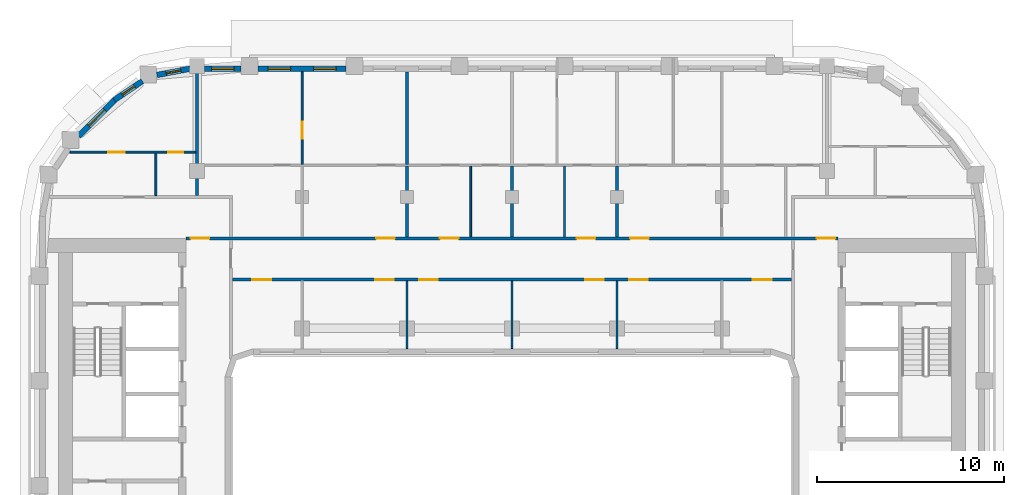
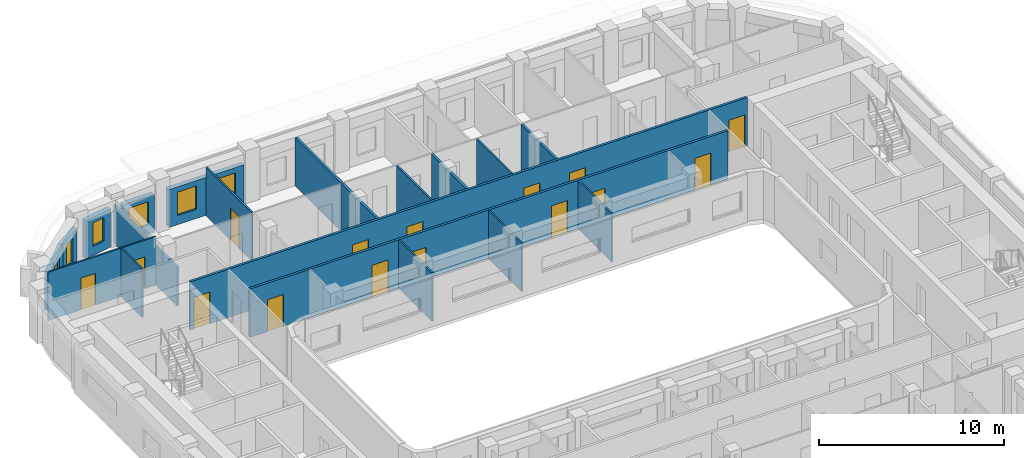
# One storey, part 7 of 21: 20 walls, 15 doors, 6 windows, 21 openings.
"""IFC4 building model written with IfcOpenShell, lengths in metres."""

from ifc_helpers import new_model, si_unit, direction, frame, frame_2d, origin, place, context, subcontext, project, spatial, rectangle, extrude, material, layer, layer_set, type_object, element, fill, save


model = new_model("IFC4")

# Units and contexts
model_context = context("Model", 3, precision=1e-05, world=origin(), true_north=direction((0.0, 1.0)))
body_context = subcontext(model_context, "Body", "Model", "MODEL_VIEW")
ifc_project = project(units=[si_unit("LENGTHUNIT", "METRE"), si_unit("AREAUNIT", "SQUARE_METRE"), si_unit("VOLUMEUNIT", "CUBIC_METRE"), si_unit("PLANEANGLEUNIT", "RADIAN"), si_unit("MASSUNIT", "GRAM", prefix="KILO")], contexts=[model_context])

# Site, building, storey
site_placement = place(None, origin())
site = spatial("IfcSite", under=ifc_project, at=site_placement, CompositionType="ELEMENT")
building_placement = place(site_placement, origin())
building = spatial("IfcBuilding", under=site, at=building_placement, Name="Kiln Ring Residences", CompositionType="ELEMENT")
storey_placement = place(building_placement, frame((0.0, 0.0, 192.39990234375)))
storey = spatial("IfcBuildingStorey", under=building, at=storey_placement, Name="L49", CompositionType="ELEMENT", Elevation=192.39990234375)

# Wall, openings, windows
ifc_material_1 = material(Name="Brick masonry, dark clay brick", Category="masonry")
ifc_layer_1 = layer(ifc_material_1, 0.300048828125)
ifc_layer_set_1 = layer_set([ifc_layer_1], Name="EW-300 BRICK WALL")
wall_type_1 = type_object("IfcWallType", Name="EW-300 BRICK WALL", PredefinedType="SOLIDWALL", material=ifc_layer_set_1)
wall_1_placement = place(storey_placement, frame((-8.85009765625, 22.25, 0.0), z_axis=(0.0, 0.0, 1.0), x_axis=(-1.0, 0.0, 0.0)))
wall_1 = element("IfcWall", 1, at=wall_1_placement, inside=storey, type_object=wall_type_1, Name="Facade wall L49 32", PredefinedType="SOLIDWALL", context=body_context, shape_type="SweptSolid", body=[
    extrude(rectangle(XDim=4.699951171875, YDim=0.300048828125, at=frame_2d((2.35009765625, 0.0))), origin(), (0.0, 0.0, 1.0), 2.5),
])
opening_1_placement = place(wall_1_placement, frame((0.53759765625, 0.0, 0.60009765625)))
opening_1 = element("IfcOpeningElement", 2, at=opening_1_placement, cuts=wall_1, Name="Opening W1", PredefinedType="OPENING", context=body_context, shape_type="SweptSolid", body=[
    extrude(rectangle(XDim=1.199951171875, YDim=1.550048828125, at=frame_2d((0.60009765625, 0.77490234375))), frame((0.0, 0.159912109375, 0.0), z_axis=(0.0, -1.0, 0.0), x_axis=(1.0, 0.0, 0.0)), (0.0, 0.0, 1.0), 0.320068359375),
])
opening_2_placement = place(wall_1_placement, frame((2.96240234375, 0.0, 0.60009765625)))
opening_2 = element("IfcOpeningElement", 3, at=opening_2_placement, cuts=wall_1, Name="Opening W1", PredefinedType="OPENING", context=body_context, shape_type="SweptSolid", body=[
    extrude(rectangle(XDim=1.199951171875, YDim=1.550048828125, at=frame_2d((0.60009765625, 0.77490234375))), frame((0.0, 0.159912109375, 0.0), z_axis=(0.0, -1.0, 0.0), x_axis=(1.0, 0.0, 0.0)), (0.0, 0.0, 1.0), 0.320068359375),
])
ifc_material_2 = material(Name="Aluminium frame with double glazing", Category="aluminium")
window_type_1 = type_object("IfcWindowType", Name="WINDOW 1200 x 1550", PartitioningType="SINGLE_PANEL", PredefinedType="WINDOW", material=ifc_material_2)
window_1_placement = place(opening_1_placement, origin())
window_1 = element("IfcWindow", 4, at=window_1_placement, inside=storey, type_object=window_type_1, Name="Window L49 29", OverallHeight=1.550048828125, OverallWidth=1.199951171875, PartitioningType="SINGLE_PANEL", PredefinedType="WINDOW", context=body_context, shape_type="SweptSolid", body=[
    extrude(rectangle(XDim=1.199951171875, YDim=1.550048828125, at=frame_2d((0.60009765625, 0.77490234375))), frame((0.0, 0.030029296875, 0.0), z_axis=(0.0, -1.0, 0.0), x_axis=(1.0, 0.0, 0.0)), (0.0, 0.0, 1.0), 0.06005859375),
])
fill(opening_1, window_1)
window_2_placement = place(opening_2_placement, origin())
window_2 = element("IfcWindow", 5, at=window_2_placement, inside=storey, type_object=window_type_1, Name="Window L49 30", OverallHeight=1.550048828125, OverallWidth=1.199951171875, PartitioningType="SINGLE_PANEL", PredefinedType="WINDOW", context=body_context, shape_type="SweptSolid", body=[
    extrude(rectangle(XDim=1.199951171875, YDim=1.550048828125, at=frame_2d((0.60009765625, 0.77490234375))), frame((0.0, 0.030029296875, 0.0), z_axis=(0.0, -1.0, 0.0), x_axis=(1.0, 0.0, 0.0)), (0.0, 0.0, 1.0), 0.06005859375),
])
fill(opening_2, window_2)

# Wall, opening, window
wall_2_placement = place(storey_placement, frame((-14.449951171875, 22.25, 0.0), z_axis=(0.0, 0.0, 1.0), x_axis=(-1.0, 0.0, 0.0)))
wall_2 = element("IfcWall", 6, at=wall_2_placement, inside=storey, type_object=wall_type_1, Name="Facade wall L49 33", PredefinedType="SOLIDWALL", context=body_context, shape_type="SweptSolid", body=[
    extrude(rectangle(XDim=1.949951171875, YDim=0.300048828125, at=frame_2d((0.97509765625, 0.0))), origin(), (0.0, 0.0, 1.0), 2.5),
])
opening_3_placement = place(wall_2_placement, frame((0.375, 0.0, 0.60009765625)))
opening_3 = element("IfcOpeningElement", 7, at=opening_3_placement, cuts=wall_2, Name="Opening W1", PredefinedType="OPENING", context=body_context, shape_type="SweptSolid", body=[
    extrude(rectangle(XDim=1.199951171875, YDim=1.550048828125, at=frame_2d((0.60009765625, 0.77490234375))), frame((0.0, 0.159912109375, 0.0), z_axis=(0.0, -1.0, 0.0), x_axis=(1.0, 0.0, 0.0)), (0.0, 0.0, 1.0), 0.320068359375),
])
window_3_placement = place(opening_3_placement, origin())
window_3 = element("IfcWindow", 8, at=window_3_placement, inside=storey, type_object=window_type_1, Name="Window L49 31", OverallHeight=1.550048828125, OverallWidth=1.199951171875, PartitioningType="SINGLE_PANEL", PredefinedType="WINDOW", context=body_context, shape_type="SweptSolid", body=[
    extrude(rectangle(XDim=1.199951171875, YDim=1.550048828125, at=frame_2d((0.60009765625, 0.77490234375))), frame((0.0, 0.030029296875, 0.0), z_axis=(0.0, -1.0, 0.0), x_axis=(1.0, 0.0, 0.0)), (0.0, 0.0, 1.0), 0.06005859375),
])
fill(opening_3, window_3)

wall_3_placement = place(storey_placement, frame((-17.178955078125, 22.251220703125, 0.0), z_axis=(0.0, 0.0, 1.0), x_axis=(-0.98230529033, -0.187286722942, 0.0)))
wall_3 = element("IfcWall", 9, at=wall_3_placement, inside=storey, type_object=wall_type_1, Name="Facade wall L49 34", PredefinedType="SOLIDWALL", context=body_context, shape_type="SweptSolid", body=[
    extrude(rectangle(XDim=1.798828125, YDim=0.300048828125, at=frame_2d((0.8994140625, 0.0))), origin(), (0.0, 0.0, 1.0), 2.5),
])
opening_4_placement = place(wall_3_placement, frame((0.49951171875, 0.0, 0.60009765625)))
opening_4 = element("IfcOpeningElement", 10, at=opening_4_placement, cuts=wall_3, Name="Opening W5", PredefinedType="OPENING", context=body_context, shape_type="SweptSolid", body=[
    extrude(rectangle(XDim=0.800048828125, YDim=1.550048828125, at=frame_2d((0.39990234375, 0.77490234375))), frame((0.0, 0.159912109375, 0.0), z_axis=(0.0, -1.0, 0.0), x_axis=(1.0, 0.0, 0.0)), (0.0, 0.0, 1.0), 0.320068359375),
])
ifc_material_3 = material(Name="Aluminium frame with double glazing", Category="aluminium")
window_type_2 = type_object("IfcWindowType", Name="WINDOW 800 x 1550", PartitioningType="SINGLE_PANEL", PredefinedType="WINDOW", material=ifc_material_3)
window_4_placement = place(opening_4_placement, origin())
window_4 = element("IfcWindow", 11, at=window_4_placement, inside=storey, type_object=window_type_2, Name="Window L49 32", OverallHeight=1.550048828125, OverallWidth=0.800048828125, PartitioningType="SINGLE_PANEL", PredefinedType="WINDOW", context=body_context, shape_type="SweptSolid", body=[
    extrude(rectangle(XDim=0.800048828125, YDim=1.550048828125, at=frame_2d((0.39990234375, 0.77490234375))), frame((0.0, 0.030029296875, 0.0), z_axis=(0.0, -1.0, 0.0), x_axis=(1.0, 0.0, 0.0)), (0.0, 0.0, 1.0), 0.06005859375),
])
fill(opening_4, window_4)

wall_4_placement = place(storey_placement, frame((-19.718994140625, 21.593994140625, 0.0), z_axis=(0.0, 0.0, 1.0), x_axis=(-0.827067282455, -0.562102935673, 0.0)))
wall_4 = element("IfcWall", 12, at=wall_4_placement, inside=storey, type_object=wall_type_1, Name="Facade wall L49 35", PredefinedType="SOLIDWALL", context=body_context, shape_type="SweptSolid", body=[
    extrude(rectangle(XDim=1.805908203125, YDim=0.300048828125, at=frame_2d((0.90283203125, 0.0))), origin(), (0.0, 0.0, 1.0), 2.5),
])
opening_5_placement = place(wall_4_placement, frame((0.5029296875, 0.0, 0.60009765625)))
opening_5 = element("IfcOpeningElement", 13, at=opening_5_placement, cuts=wall_4, Name="Opening W5", PredefinedType="OPENING", context=body_context, shape_type="SweptSolid", body=[
    extrude(rectangle(XDim=0.800048828125, YDim=1.550048828125, at=frame_2d((0.39990234375, 0.77490234375))), frame((0.0, 0.159912109375, 0.0), z_axis=(0.0, -1.0, 0.0), x_axis=(1.0, 0.0, 0.0)), (0.0, 0.0, 1.0), 0.320068359375),
])
window_5_placement = place(opening_5_placement, origin())
window_5 = element("IfcWindow", 14, at=window_5_placement, inside=storey, type_object=window_type_2, Name="Window L49 33", OverallHeight=1.550048828125, OverallWidth=0.800048828125, PartitioningType="SINGLE_PANEL", PredefinedType="WINDOW", context=body_context, shape_type="SweptSolid", body=[
    extrude(rectangle(XDim=0.800048828125, YDim=1.550048828125, at=frame_2d((0.39990234375, 0.77490234375))), frame((0.0, 0.030029296875, 0.0), z_axis=(0.0, -1.0, 0.0), x_axis=(1.0, 0.0, 0.0)), (0.0, 0.0, 1.0), 0.06005859375),
])
fill(opening_5, window_5)

wall_5_placement = place(storey_placement, frame((-21.19091796875, 20.596923828125, 0.0), z_axis=(0.0, 0.0, 1.0), x_axis=(-0.707106781187, -0.707106781187, 0.0)))
wall_5 = element("IfcWall", 15, at=wall_5_placement, inside=storey, type_object=wall_type_1, Name="Facade wall L49 36", PredefinedType="SOLIDWALL", context=body_context, shape_type="SweptSolid", body=[
    extrude(rectangle(XDim=2.75, YDim=0.300048828125, at=frame_2d((1.375, 0.0))), origin(), (0.0, 0.0, 1.0), 2.5),
])
opening_6_placement = place(wall_5_placement, frame((0.77490234375, 0.0, 0.60009765625)))
opening_6 = element("IfcOpeningElement", 16, at=opening_6_placement, cuts=wall_5, Name="Opening W1", PredefinedType="OPENING", context=body_context, shape_type="SweptSolid", body=[
    extrude(rectangle(XDim=1.199951171875, YDim=1.550048828125, at=frame_2d((0.60009765625, 0.77490234375))), frame((0.0, 0.159912109375, 0.0), z_axis=(0.0, -1.0, 0.0), x_axis=(1.0, 0.0, 0.0)), (0.0, 0.0, 1.0), 0.320068359375),
])
window_6_placement = place(opening_6_placement, origin())
window_6 = element("IfcWindow", 17, at=window_6_placement, inside=storey, type_object=window_type_1, Name="Window L49 34", OverallHeight=1.550048828125, OverallWidth=1.199951171875, PartitioningType="SINGLE_PANEL", PredefinedType="WINDOW", context=body_context, shape_type="SweptSolid", body=[
    extrude(rectangle(XDim=1.199951171875, YDim=1.550048828125, at=frame_2d((0.60009765625, 0.77490234375))), frame((0.0, 0.030029296875, 0.0), z_axis=(0.0, -1.0, 0.0), x_axis=(1.0, 0.0, 0.0)), (0.0, 0.0, 1.0), 0.06005859375),
])
fill(opening_6, window_6)

# Wall, openings, doors
ifc_material_4 = material(Name="Gypsum board on steel studs", Category="steel")
ifc_layer_2 = layer(ifc_material_4, 0.10009765625)
ifc_layer_set_2 = layer_set([ifc_layer_2], Name="PARTITION-100")
wall_type_2 = type_object("IfcWallType", Name="PARTITION-100", PredefinedType="PARTITIONING", material=ifc_layer_set_2)
wall_6_placement = place(storey_placement, frame((-23.593994140625, 17.800048828125, 0.0), z_axis=(0.0, 0.0, 1.0), x_axis=(1.0, 0.0, 0.0)))
wall_6 = element("IfcWall", 18, at=wall_6_placement, inside=storey, type_object=wall_type_2, Name="Partition 012", PredefinedType="PARTITIONING", context=body_context, shape_type="SweptSolid", body=[
    extrude(rectangle(XDim=6.718994140625, YDim=0.10009765625, at=frame_2d((3.359375, 0.0))), origin(), (0.0, 0.0, 1.0), 3.2001953125),
])
opening_7_placement = place(wall_6_placement, frame((5.243896484375, 0.0, 0.0)))
opening_7 = element("IfcOpeningElement", 19, at=opening_7_placement, cuts=wall_6, Name="Opening L49-D036", PredefinedType="OPENING", context=body_context, shape_type="SweptSolid", body=[
    extrude(rectangle(XDim=0.800048828125, YDim=2.10009765625, at=frame_2d((0.39990234375, 1.050048828125))), frame((0.0, 0.06005859375, 0.0), z_axis=(0.0, -1.0, 0.0), x_axis=(1.0, 0.0, 0.0)), (0.0, 0.0, 1.0), 0.1201171875),
])
opening_8_placement = place(wall_6_placement, frame((2.0439453125, 0.0, 0.0)))
opening_8 = element("IfcOpeningElement", 20, at=opening_8_placement, cuts=wall_6, Name="Opening L49-D037", PredefinedType="OPENING", context=body_context, shape_type="SweptSolid", body=[
    extrude(rectangle(XDim=0.89990234375, YDim=2.10009765625, at=frame_2d((0.449951171875, 1.050048828125))), frame((0.0, 0.06005859375, 0.0), z_axis=(0.0, -1.0, 0.0), x_axis=(1.0, 0.0, 0.0)), (0.0, 0.0, 1.0), 0.1201171875),
])
ifc_material_5 = material(Name="Timber door leaf", Category="wood")
door_type_1 = type_object("IfcDoorType", Name="FLAT-DOOR-800-PL", OperationType="SINGLE_SWING_LEFT", PredefinedType="DOOR", material=ifc_material_5)
door_1_placement = place(opening_7_placement, origin())
door_1 = element("IfcDoor", 21, at=door_1_placement, inside=storey, type_object=door_type_1, Name="Door L49-D036", OperationType="SINGLE_SWING_RIGHT", OverallHeight=2.10009765625, OverallWidth=0.800048828125, PredefinedType="DOOR", context=body_context, shape_type="SweptSolid", body=[
    extrude(rectangle(XDim=0.800048828125, YDim=2.10009765625, at=frame_2d((0.39990234375, 1.050048828125))), frame((0.0, 0.02490234375, 0.0), z_axis=(0.0, -1.0, 0.0), x_axis=(1.0, 0.0, 0.0)), (0.0, 0.0, 1.0), 0.050048828125),
])
fill(opening_7, door_1)
ifc_material_6 = material(Name="Timber door leaf", Category="wood")
door_type_2 = type_object("IfcDoorType", Name="FLAT-DOOR-900-PL", OperationType="SINGLE_SWING_LEFT", PredefinedType="DOOR", material=ifc_material_6)
door_2_placement = place(opening_8_placement, origin())
door_2 = element("IfcDoor", 22, at=door_2_placement, inside=storey, type_object=door_type_2, Name="Door L49-D037", OperationType="SINGLE_SWING_LEFT", OverallHeight=2.10009765625, OverallWidth=0.89990234375, PredefinedType="DOOR", context=body_context, shape_type="SweptSolid", body=[
    extrude(rectangle(XDim=0.89990234375, YDim=2.10009765625, at=frame_2d((0.449951171875, 1.050048828125))), frame((0.0, 0.02490234375, 0.0), z_axis=(0.0, -1.0, 0.0), x_axis=(1.0, 0.0, 0.0)), (0.0, 0.0, 1.0), 0.050048828125),
])
fill(opening_8, door_2)

# Wall
wall_7_placement = place(storey_placement, frame((-19.0, 15.47509765625, 0.0), z_axis=(0.0, 0.0, 1.0), x_axis=(0.0, 1.0, 0.0)))
element("IfcWall", 23, at=wall_7_placement, inside=storey, type_object=wall_type_2, Name="Partition 015", PredefinedType="PARTITIONING", context=body_context, shape_type="SweptSolid", body=[
    extrude(rectangle(XDim=2.27490234375, YDim=0.10009765625, at=frame_2d((1.137451171875, 0.0))), origin(), (0.0, 0.0, 1.0), 3.2001953125),
])

# Wall, opening, door
wall_8_placement = place(storey_placement, frame((-11.199951171875, 17.14990234375, 0.0), z_axis=(0.0, 0.0, 1.0), x_axis=(0.0, 1.0, 0.0)))
wall_8 = element("IfcWall", 24, at=wall_8_placement, inside=storey, type_object=wall_type_2, Name="Partition 027", PredefinedType="PARTITIONING", context=body_context, shape_type="SweptSolid", body=[
    extrude(rectangle(XDim=4.93017578125, YDim=0.10009765625, at=frame_2d((2.465087890625, 0.0))), origin(), (0.0, 0.0, 1.0), 3.2001953125),
])
opening_9_placement = place(wall_8_placement, frame((1.360107421875, 0.0, 0.0)))
opening_9 = element("IfcOpeningElement", 25, at=opening_9_placement, cuts=wall_8, Name="Opening L49-D018", PredefinedType="OPENING", context=body_context, shape_type="SweptSolid", body=[
    extrude(rectangle(XDim=0.89990234375, YDim=2.10009765625, at=frame_2d((0.449951171875, 1.050048828125))), frame((0.0, 0.06005859375, 0.0), z_axis=(0.0, -1.0, 0.0), x_axis=(1.0, 0.0, 0.0)), (0.0, 0.0, 1.0), 0.1201171875),
])
door_3_placement = place(opening_9_placement, origin())
door_3 = element("IfcDoor", 26, at=door_3_placement, inside=storey, type_object=door_type_2, Name="Door L49-D018", OperationType="SINGLE_SWING_RIGHT", OverallHeight=2.10009765625, OverallWidth=0.89990234375, PredefinedType="DOOR", context=body_context, shape_type="SweptSolid", body=[
    extrude(rectangle(XDim=0.89990234375, YDim=2.10009765625, at=frame_2d((0.449951171875, 1.050048828125))), frame((0.0, 0.02490234375, 0.0), z_axis=(0.0, -1.0, 0.0), x_axis=(1.0, 0.0, 0.0)), (0.0, 0.0, 1.0), 0.050048828125),
])
fill(opening_9, door_3)

# Walls
wall_9_placement = place(storey_placement, frame((-5.60009765625, 7.320068359375, 0.0), z_axis=(0.0, 0.0, 1.0), x_axis=(0.0, 1.0, 0.0)))
element("IfcWall", 27, at=wall_9_placement, inside=storey, type_object=wall_type_2, Name="Partition 033", PredefinedType="PARTITIONING", context=body_context, shape_type="SweptSolid", body=[
    extrude(rectangle(XDim=3.60498046875, YDim=0.10009765625, at=frame_2d((1.802490234375, 0.0))), origin(), (0.0, 0.0, 1.0), 3.2001953125),
])
wall_10_placement = place(storey_placement, frame((-2.199951171875, 13.27490234375, 0.0), z_axis=(0.0, 0.0, 1.0), x_axis=(0.0, 1.0, 0.0)))
element("IfcWall", 28, at=wall_10_placement, inside=storey, type_object=wall_type_2, Name="Partition 037", PredefinedType="PARTITIONING", context=body_context, shape_type="SweptSolid", body=[
    extrude(rectangle(XDim=3.775146484375, YDim=0.10009765625, at=frame_2d((1.8876953125, 0.0))), origin(), (0.0, 0.0, 1.0), 3.2001953125),
])
wall_11_placement = place(storey_placement, frame((0.0, 7.320068359375, 0.0), z_axis=(0.0, 0.0, 1.0), x_axis=(0.0, 1.0, 0.0)))
element("IfcWall", 29, at=wall_11_placement, inside=storey, type_object=wall_type_2, Name="Partition 039", PredefinedType="PARTITIONING", context=body_context, shape_type="SweptSolid", body=[
    extrude(rectangle(XDim=3.60498046875, YDim=0.10009765625, at=frame_2d((1.802490234375, 0.0))), origin(), (0.0, 0.0, 1.0), 3.2001953125),
])
wall_12_placement = place(storey_placement, frame((2.800048828125, 13.27490234375, 0.0), z_axis=(0.0, 0.0, 1.0), x_axis=(0.0, 1.0, 0.0)))
element("IfcWall", 30, at=wall_12_placement, inside=storey, type_object=wall_type_2, Name="Partition 045", PredefinedType="PARTITIONING", context=body_context, shape_type="SweptSolid", body=[
    extrude(rectangle(XDim=3.775146484375, YDim=0.10009765625, at=frame_2d((1.8876953125, 0.0))), origin(), (0.0, 0.0, 1.0), 3.2001953125),
])
wall_13_placement = place(storey_placement, frame((5.60009765625, 7.320068359375, 0.0), z_axis=(0.0, 0.0, 1.0), x_axis=(0.0, 1.0, 0.0)))
element("IfcWall", 31, at=wall_13_placement, inside=storey, type_object=wall_type_2, Name="Partition 049", PredefinedType="PARTITIONING", context=body_context, shape_type="SweptSolid", body=[
    extrude(rectangle(XDim=3.60498046875, YDim=0.10009765625, at=frame_2d((1.802490234375, 0.0))), origin(), (0.0, 0.0, 1.0), 3.2001953125),
])

# Wall, openings, doors
ifc_material_7 = material(Name="Brick masonry partition", Category="masonry")
ifc_layer_3 = layer(ifc_material_7, 0.14990234375)
ifc_layer_set_3 = layer_set([ifc_layer_3], Name="PARTITION-150-ei60")
wall_type_3 = type_object("IfcWallType", Name="PARTITION-150-ei60", PredefinedType="PARTITIONING", material=ifc_layer_set_3)
wall_14_placement = place(storey_placement, frame((-14.925048828125, 11.0, 0.0), z_axis=(0.0, 0.0, 1.0), x_axis=(1.0, 0.0, 0.0)))
wall_14 = element("IfcWall", 32, at=wall_14_placement, inside=storey, type_object=wall_type_3, Name="Partition 007", PredefinedType="PARTITIONING", context=body_context, shape_type="SweptSolid", body=[
    extrude(rectangle(XDim=29.85009765625, YDim=0.14990234375, at=frame_2d((14.925048828125, 0.0))), origin(), (0.0, 0.0, 1.0), 3.2001953125),
])
opening_10_placement = place(wall_14_placement, frame((1.075927734375, 0.0, 0.0)))
opening_10 = element("IfcOpeningElement", 33, at=opening_10_placement, cuts=wall_14, Name="Opening L49-D009", PredefinedType="OPENING", context=body_context, shape_type="SweptSolid", body=[
    extrude(rectangle(XDim=1.0, YDim=2.10009765625, at=frame_2d((0.5, 1.050048828125))), frame((0.0, 0.0849609375, 0.0), z_axis=(0.0, -1.0, 0.0), x_axis=(1.0, 0.0, 0.0)), (0.0, 0.0, 1.0), 0.169921875),
])
opening_11_placement = place(wall_14_placement, frame((7.625, 0.0, 0.0)))
opening_11 = element("IfcOpeningElement", 34, at=opening_11_placement, cuts=wall_14, Name="Opening L49-D010", PredefinedType="OPENING", context=body_context, shape_type="SweptSolid", body=[
    extrude(rectangle(XDim=1.0, YDim=2.10009765625, at=frame_2d((0.5, 1.050048828125))), frame((0.0, 0.0849609375, 0.0), z_axis=(0.0, -1.0, 0.0), x_axis=(1.0, 0.0, 0.0)), (0.0, 0.0, 1.0), 0.169921875),
])
opening_12_placement = place(wall_14_placement, frame((9.97509765625, 0.0, 0.0)))
opening_12 = element("IfcOpeningElement", 35, at=opening_12_placement, cuts=wall_14, Name="Opening L49-D011", PredefinedType="OPENING", context=body_context, shape_type="SweptSolid", body=[
    extrude(rectangle(XDim=1.0, YDim=2.10009765625, at=frame_2d((0.5, 1.050048828125))), frame((0.0, 0.0849609375, 0.0), z_axis=(0.0, -1.0, 0.0), x_axis=(1.0, 0.0, 0.0)), (0.0, 0.0, 1.0), 0.169921875),
])
opening_13_placement = place(wall_14_placement, frame((18.824951171875, 0.0, 0.0)))
opening_13 = element("IfcOpeningElement", 36, at=opening_13_placement, cuts=wall_14, Name="Opening L49-D012", PredefinedType="OPENING", context=body_context, shape_type="SweptSolid", body=[
    extrude(rectangle(XDim=1.0, YDim=2.10009765625, at=frame_2d((0.5, 1.050048828125))), frame((0.0, 0.0849609375, 0.0), z_axis=(0.0, -1.0, 0.0), x_axis=(1.0, 0.0, 0.0)), (0.0, 0.0, 1.0), 0.169921875),
])
opening_14_placement = place(wall_14_placement, frame((21.175048828125, 0.0, 0.0)))
opening_14 = element("IfcOpeningElement", 37, at=opening_14_placement, cuts=wall_14, Name="Opening L49-D013", PredefinedType="OPENING", context=body_context, shape_type="SweptSolid", body=[
    extrude(rectangle(XDim=1.0, YDim=2.10009765625, at=frame_2d((0.5, 1.050048828125))), frame((0.0, 0.0849609375, 0.0), z_axis=(0.0, -1.0, 0.0), x_axis=(1.0, 0.0, 0.0)), (0.0, 0.0, 1.0), 0.169921875),
])
opening_15_placement = place(wall_14_placement, frame((27.77490234375, 0.0, 0.0)))
opening_15 = element("IfcOpeningElement", 38, at=opening_15_placement, cuts=wall_14, Name="Opening L49-D014", PredefinedType="OPENING", context=body_context, shape_type="SweptSolid", body=[
    extrude(rectangle(XDim=1.0, YDim=2.10009765625, at=frame_2d((0.5, 1.050048828125))), frame((0.0, 0.0849609375, 0.0), z_axis=(0.0, -1.0, 0.0), x_axis=(1.0, 0.0, 0.0)), (0.0, 0.0, 1.0), 0.169921875),
])
ifc_material_8 = material(Name="Steel faced fire door leaf", Category="steel")
door_type_3 = type_object("IfcDoorType", Name="FLAT-DOOR-1000-FR", OperationType="SINGLE_SWING_LEFT", PredefinedType="DOOR", material=ifc_material_8)
door_4_placement = place(opening_10_placement, origin())
door_4 = element("IfcDoor", 39, at=door_4_placement, inside=storey, type_object=door_type_3, Name="Door L49-D009", OperationType="SINGLE_SWING_LEFT", OverallHeight=2.10009765625, OverallWidth=1.0, PredefinedType="DOOR", context=body_context, shape_type="SweptSolid", body=[
    extrude(rectangle(XDim=1.0, YDim=2.10009765625, at=frame_2d((0.5, 1.050048828125))), frame((0.0, 0.02490234375, 0.0), z_axis=(0.0, -1.0, 0.0), x_axis=(1.0, 0.0, 0.0)), (0.0, 0.0, 1.0), 0.050048828125),
])
fill(opening_10, door_4)
door_5_placement = place(opening_11_placement, origin())
door_5 = element("IfcDoor", 40, at=door_5_placement, inside=storey, type_object=door_type_3, Name="Door L49-D010", OperationType="SINGLE_SWING_RIGHT", OverallHeight=2.10009765625, OverallWidth=1.0, PredefinedType="DOOR", context=body_context, shape_type="SweptSolid", body=[
    extrude(rectangle(XDim=1.0, YDim=2.10009765625, at=frame_2d((0.5, 1.050048828125))), frame((0.0, 0.02490234375, 0.0), z_axis=(0.0, -1.0, 0.0), x_axis=(1.0, 0.0, 0.0)), (0.0, 0.0, 1.0), 0.050048828125),
])
fill(opening_11, door_5)
door_6_placement = place(opening_12_placement, origin())
door_6 = element("IfcDoor", 41, at=door_6_placement, inside=storey, type_object=door_type_3, Name="Door L49-D011", OperationType="SINGLE_SWING_LEFT", OverallHeight=2.10009765625, OverallWidth=1.0, PredefinedType="DOOR", context=body_context, shape_type="SweptSolid", body=[
    extrude(rectangle(XDim=1.0, YDim=2.10009765625, at=frame_2d((0.5, 1.050048828125))), frame((0.0, 0.02490234375, 0.0), z_axis=(0.0, -1.0, 0.0), x_axis=(1.0, 0.0, 0.0)), (0.0, 0.0, 1.0), 0.050048828125),
])
fill(opening_12, door_6)
door_7_placement = place(opening_13_placement, origin())
door_7 = element("IfcDoor", 42, at=door_7_placement, inside=storey, type_object=door_type_3, Name="Door L49-D012", OperationType="SINGLE_SWING_RIGHT", OverallHeight=2.10009765625, OverallWidth=1.0, PredefinedType="DOOR", context=body_context, shape_type="SweptSolid", body=[
    extrude(rectangle(XDim=1.0, YDim=2.10009765625, at=frame_2d((0.5, 1.050048828125))), frame((0.0, 0.02490234375, 0.0), z_axis=(0.0, -1.0, 0.0), x_axis=(1.0, 0.0, 0.0)), (0.0, 0.0, 1.0), 0.050048828125),
])
fill(opening_13, door_7)
door_8_placement = place(opening_14_placement, origin())
door_8 = element("IfcDoor", 43, at=door_8_placement, inside=storey, type_object=door_type_3, Name="Door L49-D013", OperationType="SINGLE_SWING_LEFT", OverallHeight=2.10009765625, OverallWidth=1.0, PredefinedType="DOOR", context=body_context, shape_type="SweptSolid", body=[
    extrude(rectangle(XDim=1.0, YDim=2.10009765625, at=frame_2d((0.5, 1.050048828125))), frame((0.0, 0.02490234375, 0.0), z_axis=(0.0, -1.0, 0.0), x_axis=(1.0, 0.0, 0.0)), (0.0, 0.0, 1.0), 0.050048828125),
])
fill(opening_14, door_8)
door_9_placement = place(opening_15_placement, origin())
door_9 = element("IfcDoor", 44, at=door_9_placement, inside=storey, type_object=door_type_3, Name="Door L49-D014", OperationType="SINGLE_SWING_RIGHT", OverallHeight=2.10009765625, OverallWidth=1.0, PredefinedType="DOOR", context=body_context, shape_type="SweptSolid", body=[
    extrude(rectangle(XDim=1.0, YDim=2.10009765625, at=frame_2d((0.5, 1.050048828125))), frame((0.0, 0.02490234375, 0.0), z_axis=(0.0, -1.0, 0.0), x_axis=(1.0, 0.0, 0.0)), (0.0, 0.0, 1.0), 0.050048828125),
])
fill(opening_15, door_9)

wall_15_placement = place(storey_placement, frame((-17.39990234375, 13.199951171875, 0.0), z_axis=(0.0, 0.0, 1.0), x_axis=(1.0, 0.0, 0.0)))
wall_15 = element("IfcWall", 45, at=wall_15_placement, inside=storey, type_object=wall_type_3, Name="Partition 008", PredefinedType="PARTITIONING", context=body_context, shape_type="SweptSolid", body=[
    extrude(rectangle(XDim=34.7998046875, YDim=0.14990234375, at=frame_2d((17.39990234375, 0.0))), origin(), (0.0, 0.0, 1.0), 3.2001953125),
])
opening_16_placement = place(wall_15_placement, frame((0.25, 0.0, 0.0)))
opening_16 = element("IfcOpeningElement", 46, at=opening_16_placement, cuts=wall_15, Name="Opening L49-D003", PredefinedType="OPENING", context=body_context, shape_type="SweptSolid", body=[
    extrude(rectangle(XDim=1.0, YDim=2.10009765625, at=frame_2d((0.5, 1.050048828125))), frame((0.0, 0.0849609375, 0.0), z_axis=(0.0, -1.0, 0.0), x_axis=(1.0, 0.0, 0.0)), (0.0, 0.0, 1.0), 0.169921875),
])
opening_17_placement = place(wall_15_placement, frame((33.64990234375, 0.0, 0.0)))
opening_17 = element("IfcOpeningElement", 47, at=opening_17_placement, cuts=wall_15, Name="Opening L49-D004", PredefinedType="OPENING", context=body_context, shape_type="SweptSolid", body=[
    extrude(rectangle(XDim=1.0, YDim=2.10009765625, at=frame_2d((0.5, 1.050048828125))), frame((0.0, 0.0849609375, 0.0), z_axis=(0.0, -1.0, 0.0), x_axis=(1.0, 0.0, 0.0)), (0.0, 0.0, 1.0), 0.169921875),
])
opening_18_placement = place(wall_15_placement, frame((10.14990234375, 0.0, 0.0)))
opening_18 = element("IfcOpeningElement", 48, at=opening_18_placement, cuts=wall_15, Name="Opening L49-D015", PredefinedType="OPENING", context=body_context, shape_type="SweptSolid", body=[
    extrude(rectangle(XDim=1.0, YDim=2.10009765625, at=frame_2d((0.5, 1.050048828125))), frame((0.0, 0.0849609375, 0.0), z_axis=(0.0, -1.0, 0.0), x_axis=(1.0, 0.0, 0.0)), (0.0, 0.0, 1.0), 0.169921875),
])
opening_19_placement = place(wall_15_placement, frame((13.550048828125, 0.0, 0.0)))
opening_19 = element("IfcOpeningElement", 49, at=opening_19_placement, cuts=wall_15, Name="Opening L49-D019", PredefinedType="OPENING", context=body_context, shape_type="SweptSolid", body=[
    extrude(rectangle(XDim=1.0, YDim=2.10009765625, at=frame_2d((0.5, 1.050048828125))), frame((0.0, 0.0849609375, 0.0), z_axis=(0.0, -1.0, 0.0), x_axis=(1.0, 0.0, 0.0)), (0.0, 0.0, 1.0), 0.169921875),
])
opening_20_placement = place(wall_15_placement, frame((20.85009765625, 0.0, 0.0)))
opening_20 = element("IfcOpeningElement", 50, at=opening_20_placement, cuts=wall_15, Name="Opening L49-D022", PredefinedType="OPENING", context=body_context, shape_type="SweptSolid", body=[
    extrude(rectangle(XDim=1.0, YDim=2.10009765625, at=frame_2d((0.5, 1.050048828125))), frame((0.0, 0.0849609375, 0.0), z_axis=(0.0, -1.0, 0.0), x_axis=(1.0, 0.0, 0.0)), (0.0, 0.0, 1.0), 0.169921875),
])
opening_21_placement = place(wall_15_placement, frame((23.699951171875, 0.0, 0.0)))
opening_21 = element("IfcOpeningElement", 51, at=opening_21_placement, cuts=wall_15, Name="Opening L49-D026", PredefinedType="OPENING", context=body_context, shape_type="SweptSolid", body=[
    extrude(rectangle(XDim=1.0, YDim=2.10009765625, at=frame_2d((0.5, 1.050048828125))), frame((0.0, 0.0849609375, 0.0), z_axis=(0.0, -1.0, 0.0), x_axis=(1.0, 0.0, 0.0)), (0.0, 0.0, 1.0), 0.169921875),
])
door_10_placement = place(opening_16_placement, origin())
door_10 = element("IfcDoor", 52, at=door_10_placement, inside=storey, type_object=door_type_3, Name="Door L49-D003", OperationType="SINGLE_SWING_LEFT", OverallHeight=2.10009765625, OverallWidth=1.0, PredefinedType="DOOR", context=body_context, shape_type="SweptSolid", body=[
    extrude(rectangle(XDim=1.0, YDim=2.10009765625, at=frame_2d((0.5, 1.050048828125))), frame((0.0, 0.02490234375, 0.0), z_axis=(0.0, -1.0, 0.0), x_axis=(1.0, 0.0, 0.0)), (0.0, 0.0, 1.0), 0.050048828125),
])
fill(opening_16, door_10)
door_11_placement = place(opening_17_placement, origin())
door_11 = element("IfcDoor", 53, at=door_11_placement, inside=storey, type_object=door_type_3, Name="Door L49-D004", OperationType="SINGLE_SWING_RIGHT", OverallHeight=2.10009765625, OverallWidth=1.0, PredefinedType="DOOR", context=body_context, shape_type="SweptSolid", body=[
    extrude(rectangle(XDim=1.0, YDim=2.10009765625, at=frame_2d((0.5, 1.050048828125))), frame((0.0, 0.02490234375, 0.0), z_axis=(0.0, -1.0, 0.0), x_axis=(1.0, 0.0, 0.0)), (0.0, 0.0, 1.0), 0.050048828125),
])
fill(opening_17, door_11)
door_12_placement = place(opening_18_placement, origin())
door_12 = element("IfcDoor", 54, at=door_12_placement, inside=storey, type_object=door_type_3, Name="Door L49-D015", OperationType="SINGLE_SWING_LEFT", OverallHeight=2.10009765625, OverallWidth=1.0, PredefinedType="DOOR", context=body_context, shape_type="SweptSolid", body=[
    extrude(rectangle(XDim=1.0, YDim=2.10009765625, at=frame_2d((0.5, 1.050048828125))), frame((0.0, 0.02490234375, 0.0), z_axis=(0.0, -1.0, 0.0), x_axis=(1.0, 0.0, 0.0)), (0.0, 0.0, 1.0), 0.050048828125),
])
fill(opening_18, door_12)
door_13_placement = place(opening_19_placement, origin())
door_13 = element("IfcDoor", 55, at=door_13_placement, inside=storey, type_object=door_type_3, Name="Door L49-D019", OperationType="SINGLE_SWING_LEFT", OverallHeight=2.10009765625, OverallWidth=1.0, PredefinedType="DOOR", context=body_context, shape_type="SweptSolid", body=[
    extrude(rectangle(XDim=1.0, YDim=2.10009765625, at=frame_2d((0.5, 1.050048828125))), frame((0.0, 0.02490234375, 0.0), z_axis=(0.0, -1.0, 0.0), x_axis=(1.0, 0.0, 0.0)), (0.0, 0.0, 1.0), 0.050048828125),
])
fill(opening_19, door_13)
door_14_placement = place(opening_20_placement, origin())
door_14 = element("IfcDoor", 56, at=door_14_placement, inside=storey, type_object=door_type_3, Name="Door L49-D022", OperationType="SINGLE_SWING_RIGHT", OverallHeight=2.10009765625, OverallWidth=1.0, PredefinedType="DOOR", context=body_context, shape_type="SweptSolid", body=[
    extrude(rectangle(XDim=1.0, YDim=2.10009765625, at=frame_2d((0.5, 1.050048828125))), frame((0.0, 0.02490234375, 0.0), z_axis=(0.0, -1.0, 0.0), x_axis=(1.0, 0.0, 0.0)), (0.0, 0.0, 1.0), 0.050048828125),
])
fill(opening_20, door_14)
door_15_placement = place(opening_21_placement, origin())
door_15 = element("IfcDoor", 57, at=door_15_placement, inside=storey, type_object=door_type_3, Name="Door L49-D026", OperationType="SINGLE_SWING_RIGHT", OverallHeight=2.10009765625, OverallWidth=1.0, PredefinedType="DOOR", context=body_context, shape_type="SweptSolid", body=[
    extrude(rectangle(XDim=1.0, YDim=2.10009765625, at=frame_2d((0.5, 1.050048828125))), frame((0.0, 0.02490234375, 0.0), z_axis=(0.0, -1.0, 0.0), x_axis=(1.0, 0.0, 0.0)), (0.0, 0.0, 1.0), 0.050048828125),
])
fill(opening_21, door_15)

# Walls
wall_16_placement = place(storey_placement, frame((-16.800048828125, 15.47509765625, 0.0), z_axis=(0.0, 0.0, 1.0), x_axis=(0.0, 1.0, 0.0)))
element("IfcWall", 58, at=wall_16_placement, inside=storey, type_object=wall_type_3, Name="Partition 018", PredefinedType="PARTITIONING", context=body_context, shape_type="SweptSolid", body=[
    extrude(rectangle(XDim=6.8349609375, YDim=0.14990234375, at=frame_2d((3.41748046875, 0.0))), origin(), (0.0, 0.0, 1.0), 2.550048828125),
])
wall_17_placement = place(storey_placement, frame((-5.60009765625, 13.27490234375, 0.0), z_axis=(0.0, 0.0, 1.0), x_axis=(0.0, 1.0, 0.0)))
element("IfcWall", 59, at=wall_17_placement, inside=storey, type_object=wall_type_3, Name="Partition 035", PredefinedType="PARTITIONING", context=body_context, shape_type="SweptSolid", body=[
    extrude(rectangle(XDim=3.775146484375, YDim=0.14990234375, at=frame_2d((1.8876953125, 0.0))), origin(), (0.0, 0.0, 1.0), 3.2001953125),
])
wall_18_placement = place(storey_placement, frame((-5.60009765625, 17.14990234375, 0.0), z_axis=(0.0, 0.0, 1.0), x_axis=(0.0, 1.0, 0.0)))
element("IfcWall", 60, at=wall_18_placement, inside=storey, type_object=wall_type_3, Name="Partition 036", PredefinedType="PARTITIONING", context=body_context, shape_type="SweptSolid", body=[
    extrude(rectangle(XDim=4.93017578125, YDim=0.14990234375, at=frame_2d((2.465087890625, 0.0))), origin(), (0.0, 0.0, 1.0), 3.2001953125),
])
for number, where, z_axis, x_axis, name in (
    (61, (0.0, 13.27490234375, 0.0), (0.0, 0.0, 1.0), (0.0, 1.0, 0.0), "Partition 042"),
    (62, (5.60009765625, 13.27490234375, 0.0), (0.0, 0.0, 1.0), (0.0, 1.0, 0.0), "Partition 051"),
):
    element("IfcWall", number, at=place(storey_placement, frame(where, z_axis=z_axis, x_axis=x_axis)), inside=storey, type_object=wall_type_3, Name=name, PredefinedType="PARTITIONING", context=body_context, shape_type="SweptSolid", body=[
        extrude(rectangle(XDim=3.775146484375, YDim=0.14990234375, at=frame_2d((1.8876953125, 0.0))), origin(), (0.0, 0.0, 1.0), 3.2001953125),
    ])

save(model, "model.ifc")
